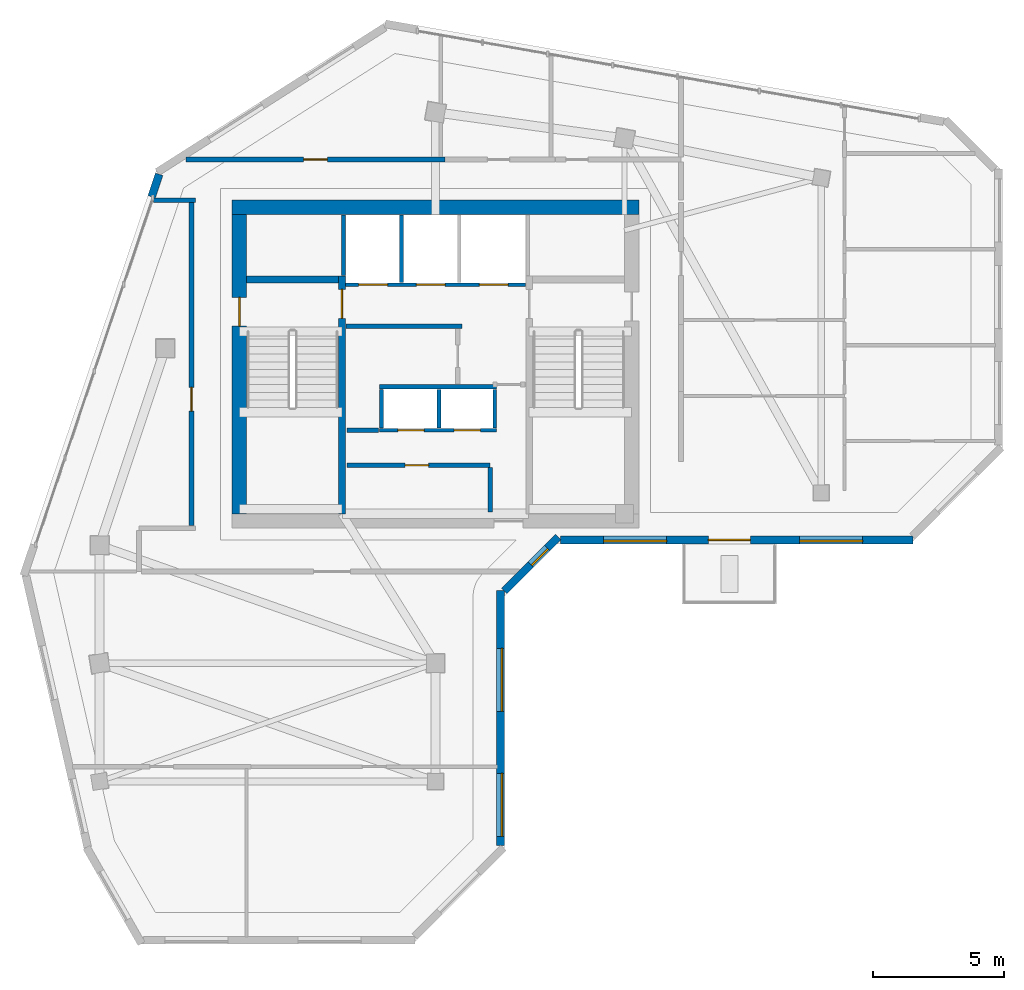
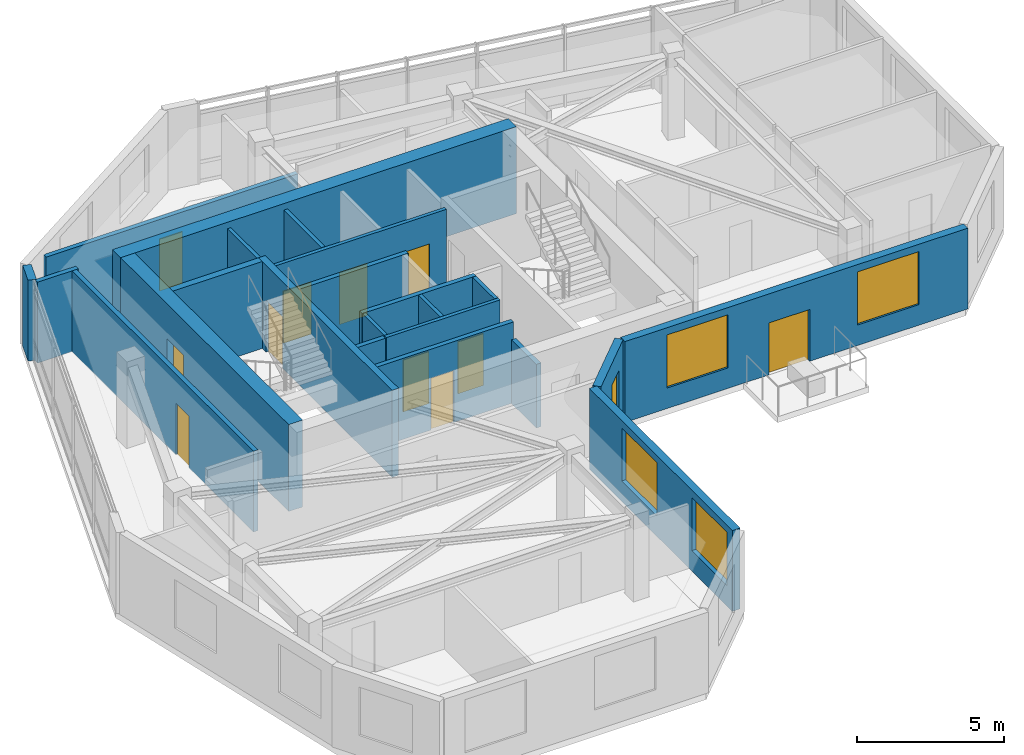
# One storey, part 4 of 9: 23 walls, 11 doors, 5 windows, 16 openings.
"""IFC4 building model written with IfcOpenShell, lengths in metres."""

from ifc_helpers import new_model, si_unit, direction, frame, frame_2d, origin, place, context, subcontext, project, spatial, rectangle, extrude, source, transform, mapped, material, layer, layer_set, type_object, element, fill, save


model = new_model("IFC4")

# Units and contexts
model_context = context("Model", 3, precision=1e-05, world=origin(), true_north=direction((0.0, 1.0)))
body_context = subcontext(model_context, "Body", "Model", "MODEL_VIEW")
ifc_project = project(units=[si_unit("LENGTHUNIT", "METRE"), si_unit("AREAUNIT", "SQUARE_METRE"), si_unit("VOLUMEUNIT", "CUBIC_METRE"), si_unit("PLANEANGLEUNIT", "RADIAN"), si_unit("MASSUNIT", "GRAM", prefix="KILO")], contexts=[model_context])

# Site, building, storey
site_placement = place(None, origin())
site = spatial("IfcSite", under=ifc_project, at=site_placement, CompositionType="ELEMENT")
building_placement = place(site_placement, origin())
building = spatial("IfcBuilding", under=site, at=building_placement, Name="Calvemar Wedge Station Tower", CompositionType="ELEMENT")
storey_placement = place(building_placement, frame((0.0, 0.0, 274.5)))
storey = spatial("IfcBuildingStorey", under=building, at=storey_placement, Name="L70", CompositionType="ELEMENT", Elevation=274.5)

# Wall, opening, door
ifc_material_1 = material(Name="Concrete C50", Category="concrete")
ifc_layer_1 = layer(ifc_material_1, 0.260009765625)
ifc_layer_set_1 = layer_set([ifc_layer_1], Name="Concrete C50")
wall_type_1 = type_object("IfcWallType", Name="SW-CORE-260", PredefinedType="SHEAR", material=ifc_layer_set_1)
wall_1_placement = place(storey_placement, frame((20.22998046875, 34.199951171875, 0.0), z_axis=(0.0, 0.0, 1.0), x_axis=(0.0, 1.0, 0.0)))
wall_1 = element("IfcWall", 1, at=wall_1_placement, inside=storey, type_object=wall_type_1, Name="Storey L70 Core Shear Wall SPINE-W", PredefinedType="SHEAR", context=body_context, shape_type="SweptSolid", body=[
    extrude(rectangle(XDim=9.06005859375, YDim=0.260009765625, at=frame_2d((4.530029296875, 0.0))), origin(), (0.0, 0.0, 1.0), 3.60009765625),
])
shared_shape_1 = source(origin(), body_context, "Body", "SweptSolid", [
    extrude(rectangle(XDim=1.10009765625, YDim=2.14990234375, at=frame_2d((0.550048828125, 1.074951171875))), frame((0.0, 0.14013671875, 0.0), z_axis=(0.0, -1.0, 0.0), x_axis=(1.0, 0.0, 0.0)), (0.0, 0.0, 1.0), 0.280029296875),
])
opening_1_placement = place(wall_1_placement, frame((7.449951171875, 0.0, 0.0)))
opening_1 = element("IfcOpeningElement", 2, at=opening_1_placement, cuts=wall_1, Name="Opening FD-90", PredefinedType="OPENING", context=body_context, shape_type="MappedRepresentation", body=[
    mapped(shared_shape_1, transform((0.0, 0.0, 0.0), scale=1.0)),
])
ifc_material_2 = material(Name="Galvanized fire-rated steel door leaf P-90", Category="steel")
door_type_1 = type_object("IfcDoorType", Name="DR-FD90-1100", OperationType="NOTDEFINED", PredefinedType="DOOR", material=ifc_material_2)
shared_shape_2 = source(origin(), body_context, "Body", "SweptSolid", [
    extrude(rectangle(XDim=1.10009765625, YDim=2.14990234375, at=frame_2d((0.550048828125, 1.074951171875))), frame((0.0, 0.02490234375, 0.0), z_axis=(0.0, -1.0, 0.0), x_axis=(1.0, 0.0, 0.0)), (0.0, 0.0, 1.0), 0.050048828125),
])
door_1_placement = place(opening_1_placement, origin())
door_1 = element("IfcDoor", 3, at=door_1_placement, inside=storey, type_object=door_type_1, Name="L70 FF Lobby to Stair ST-C1 Door", OperationType="SINGLE_SWING_RIGHT", OverallHeight=2.14990234375, OverallWidth=1.10009765625, PredefinedType="DOOR", context=body_context, shape_type="MappedRepresentation", body=[
    mapped(shared_shape_2, transform((0.0, 0.0, 0.0), scale=1.0)),
])
fill(opening_1, door_1)

# Walls
wall_2_placement = place(storey_placement, frame((16.60009765625, 43.1298828125, 0.0), z_axis=(0.0, 0.0, 1.0), x_axis=(1.0, 0.0, 0.0)))
element("IfcWall", 4, at=wall_2_placement, inside=storey, type_object=wall_type_1, Name="Storey L70 Core Shear Wall STC1-N", PredefinedType="SHEAR", context=body_context, shape_type="SweptSolid", body=[
    extrude(rectangle(XDim=3.5, YDim=0.260009765625, at=frame_2d((1.75, 0.0))), origin(), (0.0, 0.0, 1.0), 3.60009765625),
])
ifc_material_3 = material(Name="Concrete C60", Category="concrete")
ifc_layer_2 = layer(ifc_material_3, 0.550048828125)
ifc_layer_set_2 = layer_set([ifc_layer_2], Name="Concrete C60")
wall_type_2 = type_object("IfcWallType", Name="SW-CORE-550", PredefinedType="SHEAR", material=ifc_layer_set_2)
wall_3_placement = place(storey_placement, frame((16.050048828125, 45.875, 0.0), z_axis=(0.0, 0.0, 1.0), x_axis=(1.0, 0.0, 0.0)))
element("IfcWall", 5, at=wall_3_placement, inside=storey, type_object=wall_type_2, Name="Storey L70 Core Shear Wall N", PredefinedType="SHEAR", context=body_context, shape_type="SweptSolid", body=[
    extrude(rectangle(XDim=15.5, YDim=0.550048828125, at=frame_2d((7.75, 0.0))), origin(), (0.0, 0.0, 1.0), 3.60009765625),
])

# Wall, opening, door
wall_4_placement = place(storey_placement, frame((16.324951171875, 34.199951171875, 0.0), z_axis=(0.0, 0.0, 1.0), x_axis=(0.0, 1.0, 0.0)))
wall_4 = element("IfcWall", 6, at=wall_4_placement, inside=storey, type_object=wall_type_2, Name="Storey L70 Core Shear Wall W", PredefinedType="SHEAR", context=body_context, shape_type="SweptSolid", body=[
    extrude(rectangle(XDim=11.400146484375, YDim=0.550048828125, at=frame_2d((5.7001953125, 0.0))), origin(), (0.0, 0.0, 1.0), 3.60009765625),
])
shared_shape_3 = source(origin(), body_context, "Body", "SweptSolid", [
    extrude(rectangle(XDim=1.10009765625, YDim=2.14990234375, at=frame_2d((0.550048828125, 1.074951171875))), frame((0.0, 0.28515625, 0.0), z_axis=(0.0, -1.0, 0.0), x_axis=(1.0, 0.0, 0.0)), (0.0, 0.0, 1.0), 0.570068359375),
])
opening_2_placement = place(wall_4_placement, frame((7.14990234375, 0.0, 0.0)))
opening_2 = element("IfcOpeningElement", 7, at=opening_2_placement, cuts=wall_4, Name="Opening FD-90", PredefinedType="OPENING", context=body_context, shape_type="MappedRepresentation", body=[
    mapped(shared_shape_3, transform((0.0, 0.0, 0.0), scale=1.0)),
])
door_2_placement = place(opening_2_placement, origin())
door_2 = element("IfcDoor", 8, at=door_2_placement, inside=storey, type_object=door_type_1, Name="L70 West Corridor to Exit Stair ST-C1 Door", OperationType="SINGLE_SWING_RIGHT", OverallHeight=2.14990234375, OverallWidth=1.10009765625, PredefinedType="DOOR", context=body_context, shape_type="MappedRepresentation", body=[
    mapped(shared_shape_2, transform((0.0, 0.0, 0.0), scale=1.0)),
])
fill(opening_2, door_2)

# Walls
ifc_material_4 = material(Name="Double-stud fire-rated corridor partition")
ifc_layer_3 = layer(ifc_material_4, 0.179931640625)
ifc_layer_set_3 = layer_set([ifc_layer_3], Name="Double-stud fire-rated corridor partition")
wall_type_3 = type_object("IfcWallType", Name="W-CORR-180", PredefinedType="PARTITIONING", material=ifc_layer_set_3)
wall_5_placement = place(storey_placement, frame((24.81005859375, 41.35009765625, 0.0), z_axis=(0.0, 0.0, 1.0), x_axis=(-1.0, 0.0, 0.0)))
element("IfcWall", 9, at=wall_5_placement, inside=storey, type_object=wall_type_3, Name="Storey L70 Interior Partition WL-L70-001", PredefinedType="PARTITIONING", context=body_context, shape_type="SweptSolid", body=[
    extrude(rectangle(XDim=4.43017578125, YDim=0.179931640625, at=frame_2d((2.215087890625, 0.0))), origin(), (0.0, 0.0, 1.0), 3.35009765625),
])
wall_6_placement = place(storey_placement, frame((21.6298828125, 37.3798828125, 0.0), z_axis=(0.0, 0.0, 1.0), x_axis=(-1.0, 0.0, 0.0)))
element("IfcWall", 10, at=wall_6_placement, inside=storey, type_object=wall_type_3, Name="Storey L70 Interior Partition WL-L70-003", PredefinedType="PARTITIONING", context=body_context, shape_type="SweptSolid", body=[
    extrude(rectangle(XDim=1.2099609375, YDim=0.179931640625, at=frame_2d((0.60498046875, 0.0))), origin(), (0.0, 0.0, 1.0), 3.35009765625),
])

# Wall, opening, door
wall_7_placement = place(storey_placement, frame((20.419921875, 36.050048828125, 0.0), z_axis=(0.0, 0.0, 1.0), x_axis=(1.0, 0.0, 0.0)))
wall_7 = element("IfcWall", 11, at=wall_7_placement, inside=storey, type_object=wall_type_3, Name="Storey L70 Interior Partition WL-L70-005", PredefinedType="PARTITIONING", context=body_context, shape_type="SweptSolid", body=[
    extrude(rectangle(XDim=5.4599609375, YDim=0.179931640625, at=frame_2d((2.72998046875, 0.0))), origin(), (0.0, 0.0, 1.0), 3.35009765625),
])
shared_shape_4 = source(origin(), body_context, "Body", "SweptSolid", [
    extrude(rectangle(XDim=0.89990234375, YDim=2.14990234375, at=frame_2d((0.449951171875, 1.074951171875))), frame((0.0, 0.10009765625, 0.0), z_axis=(0.0, -1.0, 0.0), x_axis=(1.0, 0.0, 0.0)), (0.0, 0.0, 1.0), 0.199951171875),
])
opening_3_placement = place(wall_7_placement, frame((2.219482421875, 0.0, 0.0)))
opening_3 = element("IfcOpeningElement", 12, at=opening_3_placement, cuts=wall_7, Name="Opening FD-60", PredefinedType="OPENING", context=body_context, shape_type="MappedRepresentation", body=[
    mapped(shared_shape_4, transform((0.0, 0.0, 0.0), scale=1.0)),
])
ifc_material_5 = material(Name="Fire-rated acoustic timber-core entrance door EI 60", Category="wood")
door_type_2 = type_object("IfcDoorType", Name="DR-FD60-900", OperationType="NOTDEFINED", PredefinedType="DOOR", material=ifc_material_5)
shared_shape_5 = source(origin(), body_context, "Body", "SweptSolid", [
    extrude(rectangle(XDim=0.89990234375, YDim=2.14990234375, at=frame_2d((0.449951171875, 1.074951171875))), frame((0.0, 0.02490234375, 0.0), z_axis=(0.0, -1.0, 0.0), x_axis=(1.0, 0.0, 0.0)), (0.0, 0.0, 1.0), 0.050048828125),
])
door_3_placement = place(opening_3_placement, origin())
door_3 = element("IfcDoor", 13, at=door_3_placement, inside=storey, type_object=door_type_2, Name="L70 Wine and Parcel Store Door", OperationType="SINGLE_SWING_LEFT", OverallHeight=2.14990234375, OverallWidth=0.89990234375, PredefinedType="DOOR", context=body_context, shape_type="MappedRepresentation", body=[
    mapped(shared_shape_5, transform((0.0, 0.0, 0.0), scale=1.0)),
])
fill(opening_3, door_3)

# Wall
wall_8_placement = place(storey_placement, frame((25.8798828125, 35.9560546875, 0.0), z_axis=(0.0, 0.0, 1.0), x_axis=(0.0, -1.0, 0.0)))
element("IfcWall", 14, at=wall_8_placement, inside=storey, type_object=wall_type_3, Name="Storey L70 Interior Partition WL-L70-006", PredefinedType="PARTITIONING", context=body_context, shape_type="SweptSolid", body=[
    extrude(rectangle(XDim=1.68603515625, YDim=0.179931640625, at=frame_2d((0.843017578125, 0.0))), origin(), (0.0, 0.0, 1.0), 2.64208984375),
])

# Wall, opening, door
wall_9_placement = place(storey_placement, frame((14.5, 33.743896484375, 0.0), z_axis=(0.0, 0.0, 1.0), x_axis=(0.0, 1.0, 0.0)))
wall_9 = element("IfcWall", 15, at=wall_9_placement, inside=storey, type_object=wall_type_3, Name="Storey L70 Interior Partition WL-L70-010", PredefinedType="PARTITIONING", context=body_context, shape_type="SweptSolid", body=[
    extrude(rectangle(XDim=12.406005859375, YDim=0.179931640625, at=frame_2d((6.203125, 0.0))), origin(), (0.0, 0.0, 1.0), 3.35009765625),
])
opening_4_placement = place(wall_9_placement, frame((4.36962890625, 0.0, 0.0)))
opening_4 = element("IfcOpeningElement", 16, at=opening_4_placement, cuts=wall_9, Name="Opening D-01", PredefinedType="OPENING", context=body_context, shape_type="MappedRepresentation", body=[
    mapped(shared_shape_4, transform((0.0, 0.0, 0.0), scale=1.0)),
])
ifc_material_6 = material(Name="Architectural hardwood acoustic swing door", Category="wood")
door_type_3 = type_object("IfcDoorType", Name="DR-INT-900", OperationType="NOTDEFINED", PredefinedType="DOOR", material=ifc_material_6)
shared_shape_6 = source(origin(), body_context, "Body", "SweptSolid", [
    extrude(rectangle(XDim=0.89990234375, YDim=2.14990234375, at=frame_2d((0.449951171875, 1.074951171875))), frame((0.0, 0.02490234375, 0.0), z_axis=(0.0, -1.0, 0.0), x_axis=(1.0, 0.0, 0.0)), (0.0, 0.0, 1.0), 0.050048828125),
])
door_4_placement = place(opening_4_placement, origin())
door_4 = element("IfcDoor", 17, at=door_4_placement, inside=storey, type_object=door_type_3, Name="L70 Resident Reading Lounge Door", OperationType="SINGLE_SWING_RIGHT", OverallHeight=2.14990234375, OverallWidth=0.89990234375, PredefinedType="DOOR", context=body_context, shape_type="MappedRepresentation", body=[
    mapped(shared_shape_6, transform((0.0, 0.0, 0.0), scale=1.0)),
])
fill(opening_4, door_4)

# Wall
wall_10_placement = place(storey_placement, frame((14.659912109375, 46.14990234375, 0.0), z_axis=(0.0, 0.0, 1.0), x_axis=(-1.0, 0.0, 0.0)))
element("IfcWall", 18, at=wall_10_placement, inside=storey, type_object=wall_type_3, Name="Storey L70 Interior Partition WL-L70-011", PredefinedType="PARTITIONING", context=body_context, shape_type="SweptSolid", body=[
    extrude(rectangle(XDim=1.602294921875, YDim=0.179931640625, at=frame_2d((0.80126953125, 0.0))), origin(), (0.0, 0.0, 1.0), 3.35009765625),
])

# Wall, opening, door
wall_11_placement = place(storey_placement, frame((14.29541015625, 47.699951171875, 0.0), z_axis=(0.0, 0.0, 1.0), x_axis=(1.0, 0.0, 0.0)))
wall_11 = element("IfcWall", 19, at=wall_11_placement, inside=storey, type_object=wall_type_3, Name="Storey L70 Interior Partition WL-L70-012", PredefinedType="PARTITIONING", context=body_context, shape_type="SweptSolid", body=[
    extrude(rectangle(XDim=9.864501953125, YDim=0.179931640625, at=frame_2d((4.93212890625, 0.0))), origin(), (0.0, 0.0, 1.0), 3.01904296875),
])
opening_5_placement = place(wall_11_placement, frame((4.482421875, 0.0, 0.0)))
opening_5 = element("IfcOpeningElement", 20, at=opening_5_placement, cuts=wall_11, Name="Opening D-01", PredefinedType="OPENING", context=body_context, shape_type="MappedRepresentation", body=[
    mapped(shared_shape_4, transform((0.0, 0.0, 0.0), scale=1.0)),
])
door_5_placement = place(opening_5_placement, origin())
door_5 = element("IfcDoor", 21, at=door_5_placement, inside=storey, type_object=door_type_3, Name="L70 Fitness Studio Door", OperationType="SINGLE_SWING_LEFT", OverallHeight=2.14990234375, OverallWidth=0.89990234375, PredefinedType="DOOR", context=body_context, shape_type="MappedRepresentation", body=[
    mapped(shared_shape_6, transform((0.0, 0.0, 0.0), scale=1.0)),
])
fill(opening_5, door_5)

# Wall, openings, windows
ifc_material_7 = material(Name="Precast concrete C45", Category="concrete")
ifc_layer_4 = layer(ifc_material_7, 0.300048828125)
ifc_layer_set_4 = layer_set([ifc_layer_4], Name="Precast concrete C45")
wall_type_4 = type_object("IfcWallType", Name="W-EXT-GFRC-300", PredefinedType="SOLIDWALL", material=ifc_layer_set_4)
wall_12_placement = place(storey_placement, frame((26.281982421875, 21.557373046875, 0.0), z_axis=(0.0, 0.0, 1.0), x_axis=(0.0, 1.0, 0.0)))
wall_12 = element("IfcWall", 22, at=wall_12_placement, inside=storey, type_object=wall_type_4, Name="Storey L70 Bronze GFRC Exterior Wall 4", PredefinedType="SOLIDWALL", context=body_context, shape_type="SweptSolid", body=[
    extrude(rectangle(XDim=9.710693359375, YDim=0.300048828125, at=frame_2d((4.85546875, 0.0))), origin(), (0.0, 0.0, 1.0), 3.35009765625),
])
shared_shape_7 = source(origin(), body_context, "Body", "SweptSolid", [
    extrude(rectangle(XDim=2.39990234375, YDim=2.199951171875, at=frame_2d((1.199951171875, 1.10009765625))), frame((0.0, 0.16015625, 0.0), z_axis=(0.0, -1.0, 0.0), x_axis=(1.0, 0.0, 0.0)), (0.0, 0.0, 1.0), 0.320068359375),
])
opening_6_placement = place(wall_12_placement, frame((0.35400390625, 0.0, 0.85009765625)))
opening_6 = element("IfcOpeningElement", 23, at=opening_6_placement, cuts=wall_12, Name="Opening W1", PredefinedType="OPENING", context=body_context, shape_type="MappedRepresentation", body=[
    mapped(shared_shape_7, transform((0.0, 0.0, 0.0), scale=1.0)),
])
opening_7_placement = place(wall_12_placement, frame((5.10888671875, 0.0, 0.85009765625)))
opening_7 = element("IfcOpeningElement", 24, at=opening_7_placement, cuts=wall_12, Name="Opening W1", PredefinedType="OPENING", context=body_context, shape_type="MappedRepresentation", body=[
    mapped(shared_shape_7, transform((0.0, 0.0, 0.0), scale=1.0)),
])
ifc_material_8 = material(Name="Low-E laminated insulated glass", Category="glass")
window_type_1 = type_object("IfcWindowType", Name="WIN-EXT-1", PartitioningType="SINGLE_PANEL", PredefinedType="WINDOW", material=ifc_material_8)
shared_shape_8 = source(origin(), body_context, "Body", "SweptSolid", [
    extrude(rectangle(XDim=2.39990234375, YDim=2.199951171875, at=frame_2d((1.199951171875, 1.10009765625))), frame((0.0, -0.014892578125, 0.0), z_axis=(0.0, -1.0, 0.0), x_axis=(1.0, 0.0, 0.0)), (0.0, 0.0, 1.0), 0.06005859375),
])
window_1_placement = place(opening_6_placement, origin())
window_1 = element("IfcWindow", 25, at=window_1_placement, inside=storey, type_object=window_type_1, Name="Storey L70 Recessed Window 4.1", OverallHeight=2.199951171875, OverallWidth=2.39990234375, PartitioningType="SINGLE_PANEL", PredefinedType="WINDOW", context=body_context, shape_type="MappedRepresentation", body=[
    mapped(shared_shape_8, transform((0.0, 0.0, 0.0), scale=1.0)),
])
fill(opening_6, window_1)
window_2_placement = place(opening_7_placement, origin())
window_2 = element("IfcWindow", 26, at=window_2_placement, inside=storey, type_object=window_type_1, Name="Storey L70 Recessed Window 4.2", OverallHeight=2.199951171875, OverallWidth=2.39990234375, PartitioningType="SINGLE_PANEL", PredefinedType="WINDOW", context=body_context, shape_type="MappedRepresentation", body=[
    mapped(shared_shape_8, transform((0.0, 0.0, 0.0), scale=1.0)),
])
fill(opening_7, window_2)

# Wall, opening, window
wall_13_placement = place(storey_placement, frame((26.419921875, 31.256103515625, 0.0), z_axis=(0.0, 0.0, 1.0), x_axis=(0.707106781187, 0.707106781187, 0.0)))
wall_13 = element("IfcWall", 27, at=wall_13_placement, inside=storey, type_object=wall_type_4, Name="Storey L70 Bronze GFRC Exterior Wall 5", PredefinedType="SOLIDWALL", context=body_context, shape_type="SweptSolid", body=[
    extrude(rectangle(XDim=2.907470703125, YDim=0.300048828125, at=frame_2d((1.45361328125, 0.0))), origin(), (0.0, 0.0, 1.0), 3.35009765625),
])
shared_shape_9 = source(origin(), body_context, "Body", "SweptSolid", [
    extrude(rectangle(XDim=0.89990234375, YDim=1.60009765625, at=frame_2d((0.449951171875, 0.800048828125))), frame((0.0, 0.16015625, 0.0), z_axis=(0.0, -1.0, 0.0), x_axis=(1.0, 0.0, 0.0)), (0.0, 0.0, 1.0), 0.320068359375),
])
opening_8_placement = place(wall_13_placement, frame((1.422119140625, 0.0, 0.85009765625)))
opening_8 = element("IfcOpeningElement", 28, at=opening_8_placement, cuts=wall_13, Name="Opening W7", PredefinedType="OPENING", context=body_context, shape_type="MappedRepresentation", body=[
    mapped(shared_shape_9, transform((0.0, 0.0, 0.0), scale=1.0)),
])
window_type_2 = type_object("IfcWindowType", Name="WIN-EXT-7", PartitioningType="SINGLE_PANEL", PredefinedType="WINDOW", material=ifc_material_8)
shared_shape_10 = source(origin(), body_context, "Body", "SweptSolid", [
    extrude(rectangle(XDim=0.89990234375, YDim=1.60009765625, at=frame_2d((0.449951171875, 0.800048828125))), frame((0.0, -0.014892578125, 0.0), z_axis=(0.0, -1.0, 0.0), x_axis=(1.0, 0.0, 0.0)), (0.0, 0.0, 1.0), 0.06005859375),
])
window_3_placement = place(opening_8_placement, origin())
window_3 = element("IfcWindow", 29, at=window_3_placement, inside=storey, type_object=window_type_2, Name="Storey L70 Recessed Window 5.1", OverallHeight=1.60009765625, OverallWidth=0.89990234375, PartitioningType="SINGLE_PANEL", PredefinedType="WINDOW", context=body_context, shape_type="MappedRepresentation", body=[
    mapped(shared_shape_10, transform((0.0, 0.0, 0.0), scale=1.0)),
])
fill(opening_8, window_3)

# Wall, openings, windows, door
wall_14_placement = place(storey_placement, frame((28.56494140625, 33.2060546875, 0.0), z_axis=(0.0, 0.0, 1.0), x_axis=(1.0, 0.0, 0.0)))
wall_14 = element("IfcWall", 30, at=wall_14_placement, inside=storey, type_object=wall_type_4, Name="Storey L70 Bronze GFRC Exterior Wall 6", PredefinedType="SOLIDWALL", context=body_context, shape_type="SweptSolid", body=[
    extrude(rectangle(XDim=13.4228515625, YDim=0.300048828125, at=frame_2d((6.71142578125, 0.0))), origin(), (0.0, 0.0, 1.0), 3.35009765625),
])
shared_shape_11 = source(origin(), body_context, "Body", "SweptSolid", [
    extrude(rectangle(XDim=1.60009765625, YDim=2.14990234375, at=frame_2d((0.800048828125, 1.074951171875))), frame((0.0, 0.16015625, 0.0), z_axis=(0.0, -1.0, 0.0), x_axis=(1.0, 0.0, 0.0)), (0.0, 0.0, 1.0), 0.320068359375),
])
opening_9_placement = place(wall_14_placement, frame((5.635009765625, 0.0, 0.0)))
opening_9 = element("IfcOpeningElement", 31, at=opening_9_placement, cuts=wall_14, Name="Opening DT1", PredefinedType="OPENING", context=body_context, shape_type="MappedRepresentation", body=[
    mapped(shared_shape_11, transform((0.0, 0.0, 0.0), scale=1.0)),
])
opening_10_placement = place(wall_14_placement, frame((1.636962890625, 0.0, 0.85009765625)))
opening_10 = element("IfcOpeningElement", 32, at=opening_10_placement, cuts=wall_14, Name="Opening W1", PredefinedType="OPENING", context=body_context, shape_type="MappedRepresentation", body=[
    mapped(shared_shape_7, transform((0.0, 0.0, 0.0), scale=1.0)),
])
opening_11_placement = place(wall_14_placement, frame((9.10888671875, 0.0, 0.85009765625)))
opening_11 = element("IfcOpeningElement", 33, at=opening_11_placement, cuts=wall_14, Name="Opening W1", PredefinedType="OPENING", context=body_context, shape_type="MappedRepresentation", body=[
    mapped(shared_shape_7, transform((0.0, 0.0, 0.0), scale=1.0)),
])
window_4_placement = place(opening_10_placement, origin())
window_4 = element("IfcWindow", 34, at=window_4_placement, inside=storey, type_object=window_type_1, Name="Storey L70 Recessed Window 6.1", OverallHeight=2.199951171875, OverallWidth=2.39990234375, PartitioningType="SINGLE_PANEL", PredefinedType="WINDOW", context=body_context, shape_type="MappedRepresentation", body=[
    mapped(shared_shape_8, transform((0.0, 0.0, 0.0), scale=1.0)),
])
fill(opening_10, window_4)
window_5_placement = place(opening_11_placement, origin())
window_5 = element("IfcWindow", 35, at=window_5_placement, inside=storey, type_object=window_type_1, Name="Storey L70 Recessed Window 6.2", OverallHeight=2.199951171875, OverallWidth=2.39990234375, PartitioningType="SINGLE_PANEL", PredefinedType="WINDOW", context=body_context, shape_type="MappedRepresentation", body=[
    mapped(shared_shape_8, transform((0.0, 0.0, 0.0), scale=1.0)),
])
fill(opening_11, window_5)
ifc_material_9 = material(Name="Anodised aluminium 6063-T6", Category="aluminium")
door_type_4 = type_object("IfcDoorType", Name="DR-TERR-1600", OperationType="DOUBLE_DOOR_SLIDING", PredefinedType="DOOR", material=ifc_material_9)
shared_shape_12 = source(origin(), body_context, "Body", "SweptSolid", [
    extrude(rectangle(XDim=1.60009765625, YDim=2.14990234375, at=frame_2d((0.800048828125, 1.074951171875))), frame((0.0, 0.02490234375, 0.0), z_axis=(0.0, -1.0, 0.0), x_axis=(1.0, 0.0, 0.0)), (0.0, 0.0, 1.0), 0.050048828125),
])
door_6_placement = place(opening_9_placement, origin())
door_6 = element("IfcDoor", 36, at=door_6_placement, inside=storey, type_object=door_type_4, Name="Storey L70 Spiral Terrace Door", OperationType="DOUBLE_DOOR_SLIDING", OverallHeight=2.14990234375, OverallWidth=1.60009765625, PredefinedType="DOOR", context=body_context, shape_type="MappedRepresentation", body=[
    mapped(shared_shape_12, transform((0.0, 0.0, 0.0), scale=1.0)),
])
fill(opening_9, door_6)

# Wall
wall_15_placement = place(storey_placement, frame((13.2685546875, 47.1337890625, 0.0), z_axis=(0.0, 0.0, 1.0), x_axis=(-0.31995770778, -0.947431826166, 0.0)))
element("IfcWall", 37, at=wall_15_placement, inside=storey, type_object=wall_type_4, Name="Storey L70 Bronze GFRC Corner Pier 12A", PredefinedType="SOLIDWALL", context=body_context, shape_type="SweptSolid", body=[
    extrude(rectangle(XDim=0.902587890625, YDim=0.300048828125, at=frame_2d((0.451171875, 0.0))), origin(), (0.0, 0.0, 1.0), 3.35009765625),
])

# Wall, openings, doors
ifc_material_10 = material(Name="Reinforced concrete blockwork lift shaft wall", Category="masonry")
ifc_layer_5 = layer(ifc_material_10, 0.139892578125)
ifc_layer_set_5 = layer_set([ifc_layer_5], Name="Reinforced concrete blockwork lift shaft wall")
wall_type_5 = type_object("IfcWallType", Name="W-LIFT-160", PredefinedType="SOLIDWALL", material=ifc_layer_set_5)
wall_16_placement = place(storey_placement, frame((20.3701171875, 42.929931640625, 0.0), z_axis=(0.0, 0.0, 1.0), x_axis=(1.0, 0.0, 0.0)))
wall_16 = element("IfcWall", 38, at=wall_16_placement, inside=storey, type_object=wall_type_5, Name="Storey L70 Firefighting and Service Lift Shaft Front Wall", PredefinedType="SOLIDWALL", context=body_context, shape_type="SweptSolid", body=[
    extrude(rectangle(XDim=6.85986328125, YDim=0.139892578125, at=frame_2d((3.429931640625, 0.0))), origin(), (0.0, 0.0, 1.0), 3.35009765625),
])
shared_shape_13 = source(origin(), body_context, "Body", "SweptSolid", [
    extrude(rectangle(XDim=1.10009765625, YDim=2.14990234375, at=frame_2d((0.550048828125, 1.074951171875))), frame((0.0, 0.080078125, 0.0), z_axis=(0.0, -1.0, 0.0), x_axis=(1.0, 0.0, 0.0)), (0.0, 0.0, 1.0), 0.159912109375),
])
opening_12_placement = place(wall_16_placement, frame((0.5, 0.0, 0.0)))
opening_12 = element("IfcOpeningElement", 39, at=opening_12_placement, cuts=wall_16, Name="Opening LD-FF", PredefinedType="OPENING", context=body_context, shape_type="MappedRepresentation", body=[
    mapped(shared_shape_13, transform((0.0, 0.0, 0.0), scale=1.0)),
])
opening_13_placement = place(wall_16_placement, frame((2.699951171875, 0.0, 0.0)))
opening_13 = element("IfcOpeningElement", 40, at=opening_13_placement, cuts=wall_16, Name="Opening LD-FF", PredefinedType="OPENING", context=body_context, shape_type="MappedRepresentation", body=[
    mapped(shared_shape_13, transform((0.0, 0.0, 0.0), scale=1.0)),
])
opening_14_placement = place(wall_16_placement, frame((5.10009765625, 0.0, 0.0)))
opening_14 = element("IfcOpeningElement", 41, at=opening_14_placement, cuts=wall_16, Name="Opening LD-STN", PredefinedType="OPENING", context=body_context, shape_type="MappedRepresentation", body=[
    mapped(shared_shape_13, transform((0.0, 0.0, 0.0), scale=1.0)),
])
ifc_material_11 = material(Name="Stainless steel firefighting lift sliding landing door", Category="steel")
door_type_5 = type_object("IfcDoorType", Name="DR-LD-FF-1100", OperationType="SLIDING_TO_LEFT", PredefinedType="DOOR", material=ifc_material_11)
shared_shape_14 = source(origin(), body_context, "Body", "SweptSolid", [
    extrude(rectangle(XDim=1.10009765625, YDim=2.14990234375, at=frame_2d((0.550048828125, 1.074951171875))), frame((0.0, 0.02490234375, 0.0), z_axis=(0.0, -1.0, 0.0), x_axis=(1.0, 0.0, 0.0)), (0.0, 0.0, 1.0), 0.050048828125),
])
door_7_placement = place(opening_12_placement, origin())
door_7 = element("IfcDoor", 42, at=door_7_placement, inside=storey, type_object=door_type_5, Name="L70 Lift FF-01 Sliding Landing Door", OperationType="SLIDING_TO_LEFT", OverallHeight=2.14990234375, OverallWidth=1.10009765625, PredefinedType="DOOR", context=body_context, shape_type="MappedRepresentation", body=[
    mapped(shared_shape_14, transform((0.0, 0.0, 0.0), scale=1.0)),
])
fill(opening_12, door_7)
door_8_placement = place(opening_13_placement, origin())
door_8 = element("IfcDoor", 43, at=door_8_placement, inside=storey, type_object=door_type_5, Name="L70 Lift FF-02 Sliding Landing Door", OperationType="SLIDING_TO_RIGHT", OverallHeight=2.14990234375, OverallWidth=1.10009765625, PredefinedType="DOOR", context=body_context, shape_type="MappedRepresentation", body=[
    mapped(shared_shape_14, transform((0.0, 0.0, 0.0), scale=1.0)),
])
fill(opening_13, door_8)
ifc_material_12 = material(Name="Stainless steel transit lift sliding landing door", Category="steel")
door_type_6 = type_object("IfcDoorType", Name="DR-LD-PAX-1100", OperationType="SLIDING_TO_LEFT", PredefinedType="DOOR", material=ifc_material_12)
shared_shape_15 = source(origin(), body_context, "Body", "SweptSolid", [
    extrude(rectangle(XDim=1.10009765625, YDim=2.14990234375, at=frame_2d((0.550048828125, 1.074951171875))), frame((0.0, 0.02490234375, 0.0), z_axis=(0.0, -1.0, 0.0), x_axis=(1.0, 0.0, 0.0)), (0.0, 0.0, 1.0), 0.050048828125),
])
door_9_placement = place(opening_14_placement, origin())
door_9 = element("IfcDoor", 44, at=door_9_placement, inside=storey, type_object=door_type_6, Name="L70 Lift SV-01 Sliding Landing Door", OperationType="SLIDING_TO_LEFT", OverallHeight=2.14990234375, OverallWidth=1.10009765625, PredefinedType="DOOR", context=body_context, shape_type="MappedRepresentation", body=[
    mapped(shared_shape_15, transform((0.0, 0.0, 0.0), scale=1.0)),
])
fill(opening_14, door_9)

# Walls
wall_17_placement = place(storey_placement, frame((20.2900390625, 43.280029296875, 0.0), z_axis=(0.0, 0.0, 1.0), x_axis=(0.0, 1.0, 0.0)))
element("IfcWall", 45, at=wall_17_placement, inside=storey, type_object=wall_type_5, Name="Storey L70 Firefighting Lift Shaft Enclosure Wall W", PredefinedType="SOLIDWALL", context=body_context, shape_type="SweptSolid", body=[
    extrude(rectangle(XDim=2.300048828125, YDim=0.139892578125, at=frame_2d((1.14990234375, 0.0))), origin(), (0.0, 0.0, 1.0), 3.35009765625),
])
wall_18_placement = place(storey_placement, frame((22.5, 43.02001953125, 0.0), z_axis=(0.0, 0.0, 1.0), x_axis=(0.0, 1.0, 0.0)))
element("IfcWall", 46, at=wall_18_placement, inside=storey, type_object=wall_type_5, Name="Storey L70 Firefighting Lift Shaft Enclosure Wall D1", PredefinedType="SOLIDWALL", context=body_context, shape_type="SweptSolid", body=[
    extrude(rectangle(XDim=2.56005859375, YDim=0.139892578125, at=frame_2d((1.280029296875, 0.0))), origin(), (0.0, 0.0, 1.0), 3.35009765625),
])

# Wall, openings, doors
wall_19_placement = place(storey_placement, frame((21.669921875, 37.3798828125, 0.0), z_axis=(0.0, 0.0, 1.0), x_axis=(1.0, 0.0, 0.0)))
wall_19 = element("IfcWall", 47, at=wall_19_placement, inside=storey, type_object=wall_type_5, Name="Storey L70 Upper Passenger Lift Bank Front Wall", PredefinedType="SOLIDWALL", context=body_context, shape_type="SweptSolid", body=[
    extrude(rectangle(XDim=4.4599609375, YDim=0.139892578125, at=frame_2d((2.22998046875, 0.0))), origin(), (0.0, 0.0, 1.0), 3.35009765625),
])
shared_shape_16 = source(origin(), body_context, "Body", "SweptSolid", [
    extrude(rectangle(XDim=1.0, YDim=2.14990234375, at=frame_2d((0.5, 1.074951171875))), frame((0.0, 0.080078125, 0.0), z_axis=(0.0, -1.0, 0.0), x_axis=(1.0, 0.0, 0.0)), (0.0, 0.0, 1.0), 0.159912109375),
])
opening_15_placement = place(wall_19_placement, frame((0.695068359375, 0.0, 0.0)))
opening_15 = element("IfcOpeningElement", 48, at=opening_15_placement, cuts=wall_19, Name="Opening LD-PAX", PredefinedType="OPENING", context=body_context, shape_type="MappedRepresentation", body=[
    mapped(shared_shape_16, transform((0.0, 0.0, 0.0), scale=1.0)),
])
opening_16_placement = place(wall_19_placement, frame((2.8349609375, 0.0, 0.0)))
opening_16 = element("IfcOpeningElement", 49, at=opening_16_placement, cuts=wall_19, Name="Opening LD-PAX", PredefinedType="OPENING", context=body_context, shape_type="MappedRepresentation", body=[
    mapped(shared_shape_16, transform((0.0, 0.0, 0.0), scale=1.0)),
])
ifc_material_13 = material(Name="Anodised bronze passenger lift sliding landing door")
door_type_7 = type_object("IfcDoorType", Name="DR-LD-PAX-1000", OperationType="SLIDING_TO_LEFT", PredefinedType="DOOR", material=ifc_material_13)
shared_shape_17 = source(origin(), body_context, "Body", "SweptSolid", [
    extrude(rectangle(XDim=1.0, YDim=2.14990234375, at=frame_2d((0.5, 1.074951171875))), frame((0.0, 0.02490234375, 0.0), z_axis=(0.0, -1.0, 0.0), x_axis=(1.0, 0.0, 0.0)), (0.0, 0.0, 1.0), 0.050048828125),
])
door_10_placement = place(opening_15_placement, origin())
door_10 = element("IfcDoor", 50, at=door_10_placement, inside=storey, type_object=door_type_7, Name="L70 Lift RH-02 Sliding Landing Door", OperationType="SLIDING_TO_RIGHT", OverallHeight=2.14990234375, OverallWidth=1.0, PredefinedType="DOOR", context=body_context, shape_type="MappedRepresentation", body=[
    mapped(shared_shape_17, transform((0.0, 0.0, 0.0), scale=1.0)),
])
fill(opening_15, door_10)
door_11_placement = place(opening_16_placement, origin())
door_11 = element("IfcDoor", 51, at=door_11_placement, inside=storey, type_object=door_type_7, Name="L70 Lift RH-03 Sliding Landing Door", OperationType="SLIDING_TO_LEFT", OverallHeight=2.14990234375, OverallWidth=1.0, PredefinedType="DOOR", context=body_context, shape_type="MappedRepresentation", body=[
    mapped(shared_shape_17, transform((0.0, 0.0, 0.0), scale=1.0)),
])
fill(opening_16, door_11)

# Walls
for number, where, z_axis, x_axis, name in (
    (52, (26.06005859375, 37.4599609375, 0.0), (0.0, 0.0, 1.0), (0.0, 1.0, 0.0), "Storey L70 Upper Passenger Lift Shaft Wall E"),
    (53, (21.739990234375, 37.4599609375, 0.0), (0.0, 0.0, 1.0), (0.0, 1.0, 0.0), "Storey L70 Upper Passenger Lift Shaft Wall W"),
    (54, (23.93505859375, 37.4599609375, 0.0), (0.0, 0.0, 1.0), (0.0, 1.0, 0.0), "Storey L70 Upper Passenger Lift Shaft Wall D1"),
):
    element("IfcWall", number, at=place(storey_placement, frame(where, z_axis=z_axis, x_axis=x_axis)), inside=storey, type_object=wall_type_5, Name=name, PredefinedType="SOLIDWALL", context=body_context, shape_type="SweptSolid", body=[
        extrude(rectangle(XDim=1.47998046875, YDim=0.139892578125, at=frame_2d((0.739990234375, 0.0))), origin(), (0.0, 0.0, 1.0), 3.35009765625),
    ])
ifc_material_14 = material(Name="Concrete blockwork and fireboard shaft wall", Category="masonry")
ifc_layer_6 = layer(ifc_material_14, 0.199951171875)
ifc_layer_set_6 = layer_set([ifc_layer_6], Name="Concrete blockwork and fireboard shaft wall")
wall_type_6 = type_object("IfcWallType", Name="W-SHAFT-200", PredefinedType="SOLIDWALL", material=ifc_layer_set_6)
wall_20_placement = place(storey_placement, frame((21.669921875, 39.0400390625, 0.0), z_axis=(0.0, 0.0, 1.0), x_axis=(1.0, 0.0, 0.0)))
element("IfcWall", 55, at=wall_20_placement, inside=storey, type_object=wall_type_6, Name="Storey L70 Upper Passenger Lift Bank Rear Shaft Wall", PredefinedType="SOLIDWALL", context=body_context, shape_type="SweptSolid", body=[
    extrude(rectangle(XDim=4.4599609375, YDim=0.179931640625, at=frame_2d((2.22998046875, 0.0))), origin(), (0.0, 0.0, 1.0), 3.35009765625),
])

save(model, "model.ifc")
